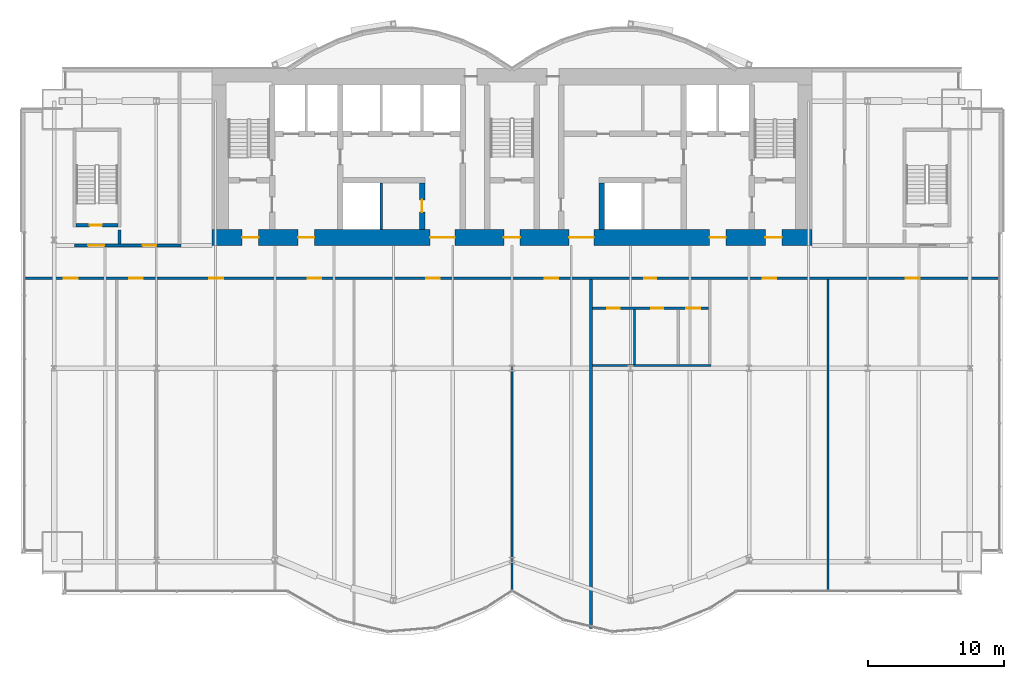
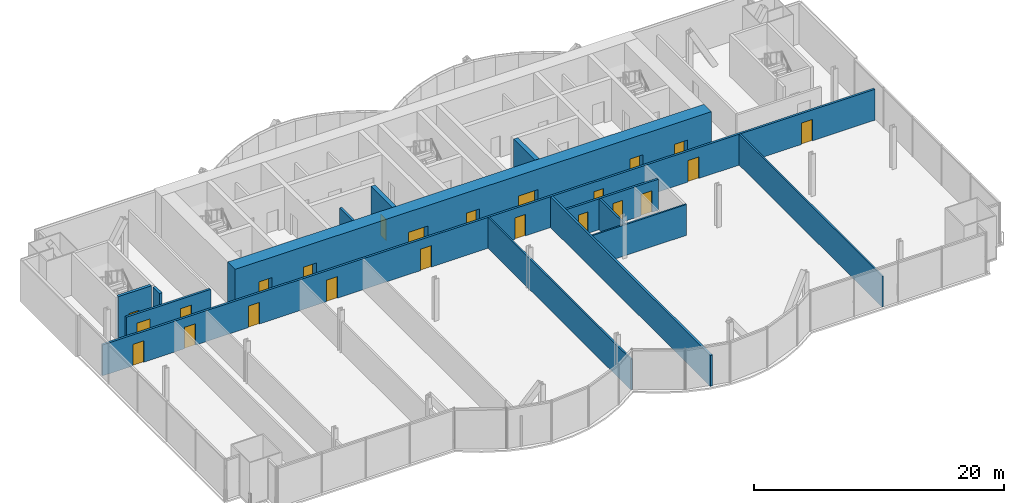
# One storey, part 15 of 21: 23 doors, 14 walls, 23 openings.
"""IFC4 building model written with IfcOpenShell, lengths in metres."""

from ifc_helpers import new_model, si_unit, direction, frame, frame_2d, origin, place, context, subcontext, project, spatial, rectangle, extrude, material, layer, layer_set, type_object, element, fill, save


model = new_model("IFC4")

# Units and contexts
model_context = context("Model", 3, precision=1e-05, world=origin(), true_north=direction((0.0, 1.0)))
body_context = subcontext(model_context, "Body", "Model", "MODEL_VIEW")
ifc_project = project(units=[si_unit("LENGTHUNIT", "METRE"), si_unit("AREAUNIT", "SQUARE_METRE"), si_unit("VOLUMEUNIT", "CUBIC_METRE"), si_unit("PLANEANGLEUNIT", "RADIAN"), si_unit("MASSUNIT", "GRAM", prefix="KILO")], contexts=[model_context])

# Site, building, storey
site_placement = place(None, origin())
site = spatial("IfcSite", under=ifc_project, at=site_placement, CompositionType="ELEMENT")
building_placement = place(site_placement, origin())
building = spatial("IfcBuilding", under=site, at=building_placement, Name="Bicima Exchange Tower", CompositionType="ELEMENT")
storey_placement = place(building_placement, frame((0.0, 0.0, 98.10009765625)))
storey = spatial("IfcBuildingStorey", under=building, at=storey_placement, Name="L20", CompositionType="ELEMENT", Elevation=98.10009765625)

# Wall
ifc_material_1 = material(Name="Gypsum board partition")
ifc_layer_1 = layer(ifc_material_1, 0.199951171875)
ifc_layer_set_1 = layer_set([ifc_layer_1], Name="Gypsum board partition")
wall_type_1 = type_object("IfcWallType", Name="Fire-rated gypsum partition 200 EI120", PredefinedType="PARTITIONING", material=ifc_layer_set_1)
wall_1_placement = place(storey_placement, frame((-9.60009765625, -11.800048828125, 0.0), z_axis=(0.0, 0.0, 1.0), x_axis=(0.0, 1.0, 0.0)))
element("IfcWall", 1, at=wall_1_placement, inside=storey, type_object=wall_type_1, Name="partition wall 11", PredefinedType="PARTITIONING", context=body_context, shape_type="SweptSolid", body=[
    extrude(rectangle(XDim=3.400146484375, YDim=0.199951171875, at=frame_2d((1.7001953125, 0.0))), origin(), (0.0, 0.0, 1.0), 3.01806640625),
])

# Wall, openings, doors
ifc_layer_2 = layer(ifc_material_1, 0.199951171875)
ifc_layer_set_2 = layer_set([ifc_layer_2], Name="Gypsum board partition")
wall_type_2 = type_object("IfcWallType", Name="Fire-rated gypsum partition 200 EI60", PredefinedType="PARTITIONING", material=ifc_layer_set_2)
wall_2_placement = place(storey_placement, frame((5.89990234375, -17.60009765625, 0.0), z_axis=(0.0, 0.0, 1.0), x_axis=(1.0, 0.0, 0.0)))
wall_2 = element("IfcWall", 2, at=wall_2_placement, inside=storey, type_object=wall_type_2, Name="partition wall 2", PredefinedType="PARTITIONING", context=body_context, shape_type="SweptSolid", body=[
    extrude(rectangle(XDim=8.5, YDim=0.199951171875, at=frame_2d((4.25, 0.0))), origin(), (0.0, 0.0, 1.0), 3.01806640625),
])
opening_1_placement = place(wall_2_placement, frame((1.10009765625, 0.0, 0.0)))
opening_1 = element("IfcOpeningElement", 3, at=opening_1_placement, cuts=wall_2, Name="Opening L20-014", PredefinedType="OPENING", context=body_context, shape_type="SweptSolid", body=[
    extrude(rectangle(XDim=0.89990234375, YDim=2.10009765625, at=frame_2d((0.449951171875, 1.050048828125))), frame((0.0, 0.11181640625, 0.0), z_axis=(0.0, -1.0, 0.0), x_axis=(1.0, 0.0, 0.0)), (0.0, 0.0, 1.0), 0.223876953125),
])
opening_2_placement = place(wall_2_placement, frame((4.300048828125, 0.0, 0.0)))
opening_2 = element("IfcOpeningElement", 4, at=opening_2_placement, cuts=wall_2, Name="Opening L20-015", PredefinedType="OPENING", context=body_context, shape_type="SweptSolid", body=[
    extrude(rectangle(XDim=0.89990234375, YDim=2.10009765625, at=frame_2d((0.449951171875, 1.050048828125))), frame((0.0, 0.11181640625, 0.0), z_axis=(0.0, -1.0, 0.0), x_axis=(1.0, 0.0, 0.0)), (0.0, 0.0, 1.0), 0.223876953125),
])
opening_3_placement = place(wall_2_placement, frame((6.89990234375, 0.0, 0.0)))
opening_3 = element("IfcOpeningElement", 5, at=opening_3_placement, cuts=wall_2, Name="Opening L20-016", PredefinedType="OPENING", context=body_context, shape_type="SweptSolid", body=[
    extrude(rectangle(XDim=1.0, YDim=2.10009765625, at=frame_2d((0.5, 1.050048828125))), frame((0.0, 0.11181640625, 0.0), z_axis=(0.0, -1.0, 0.0), x_axis=(1.0, 0.0, 0.0)), (0.0, 0.0, 1.0), 0.223876953125),
])
ifc_material_2 = material(Name="Steel fire door leaf", Category="steel")
door_type_1 = type_object("IfcDoorType", Name="Door 1000 swing FD30S", OperationType="SINGLE_SWING_LEFT", PredefinedType="DOOR", material=ifc_material_2)
door_1_placement = place(opening_3_placement, frame((1.0, 0.0, 0.0), z_axis=(0.0, 0.0, 1.0), x_axis=(-1.0, 0.0, 0.0)))
door_1 = element("IfcDoor", 6, at=door_1_placement, inside=storey, type_object=door_type_1, Name="Door", OperationType="SINGLE_SWING_LEFT", OverallHeight=2.10009765625, OverallWidth=1.0, PredefinedType="DOOR", context=body_context, shape_type="SweptSolid", body=[
    extrude(rectangle(XDim=1.0, YDim=2.10009765625, at=frame_2d((0.5, 1.050048828125))), frame((0.0, 0.02490234375, 0.0), z_axis=(0.0, -1.0, 0.0), x_axis=(1.0, 0.0, 0.0)), (0.0, 0.0, 1.0), 0.050048828125),
])
fill(opening_3, door_1)
door_type_2 = type_object("IfcDoorType", Name="Door 900 swing FD30S", OperationType="SINGLE_SWING_LEFT", PredefinedType="DOOR", material=ifc_material_2)
door_2_placement = place(opening_1_placement, frame((0.89990234375, 0.0, 0.0), z_axis=(0.0, 0.0, 1.0), x_axis=(-1.0, 0.0, 0.0)))
door_2 = element("IfcDoor", 7, at=door_2_placement, inside=storey, type_object=door_type_2, Name="Door", OperationType="SINGLE_SWING_RIGHT", OverallHeight=2.10009765625, OverallWidth=0.89990234375, PredefinedType="DOOR", context=body_context, shape_type="SweptSolid", body=[
    extrude(rectangle(XDim=0.89990234375, YDim=2.10009765625, at=frame_2d((0.449951171875, 1.050048828125))), frame((0.0, 0.02490234375, 0.0), z_axis=(0.0, -1.0, 0.0), x_axis=(1.0, 0.0, 0.0)), (0.0, 0.0, 1.0), 0.050048828125),
])
fill(opening_1, door_2)
door_3_placement = place(opening_2_placement, frame((0.89990234375, 0.0, 0.0), z_axis=(0.0, 0.0, 1.0), x_axis=(-1.0, 0.0, 0.0)))
door_3 = element("IfcDoor", 8, at=door_3_placement, inside=storey, type_object=door_type_2, Name="Door", OperationType="SINGLE_SWING_RIGHT", OverallHeight=2.10009765625, OverallWidth=0.89990234375, PredefinedType="DOOR", context=body_context, shape_type="SweptSolid", body=[
    extrude(rectangle(XDim=0.89990234375, YDim=2.10009765625, at=frame_2d((0.449951171875, 1.050048828125))), frame((0.0, 0.02490234375, 0.0), z_axis=(0.0, -1.0, 0.0), x_axis=(1.0, 0.0, 0.0)), (0.0, 0.0, 1.0), 0.050048828125),
])
fill(opening_2, door_3)

wall_3_placement = place(storey_placement, frame((-35.679931640625, -15.39990234375, 0.0), z_axis=(0.0, 0.0, 1.0), x_axis=(1.0, 0.0, 0.0)))
wall_3 = element("IfcWall", 9, at=wall_3_placement, inside=storey, type_object=wall_type_2, Name="partition wall 3", PredefinedType="PARTITIONING", context=body_context, shape_type="SweptSolid", body=[
    extrude(rectangle(XDim=71.35986328125, YDim=0.199951171875, at=frame_2d((35.679931640625, 0.0))), origin(), (0.0, 0.0, 1.0), 3.01806640625),
])
opening_4_placement = place(wall_3_placement, frame((2.800048828125, 0.0, 0.0)))
opening_4 = element("IfcOpeningElement", 10, at=opening_4_placement, cuts=wall_3, Name="Opening L20-007", PredefinedType="OPENING", context=body_context, shape_type="SweptSolid", body=[
    extrude(rectangle(XDim=1.0, YDim=2.10009765625, at=frame_2d((0.5, 1.050048828125))), frame((0.0, 0.11181640625, 0.0), z_axis=(0.0, -1.0, 0.0), x_axis=(1.0, 0.0, 0.0)), (0.0, 0.0, 1.0), 0.223876953125),
])
opening_5_placement = place(wall_3_placement, frame((7.580078125, 0.0, 0.0)))
opening_5 = element("IfcOpeningElement", 11, at=opening_5_placement, cuts=wall_3, Name="Opening L20-008", PredefinedType="OPENING", context=body_context, shape_type="SweptSolid", body=[
    extrude(rectangle(XDim=1.0, YDim=2.10009765625, at=frame_2d((0.5, 1.050048828125))), frame((0.0, 0.11181640625, 0.0), z_axis=(0.0, -1.0, 0.0), x_axis=(1.0, 0.0, 0.0)), (0.0, 0.0, 1.0), 0.223876953125),
])
opening_6_placement = place(wall_3_placement, frame((13.47998046875, 0.0, 0.0)))
opening_6 = element("IfcOpeningElement", 12, at=opening_6_placement, cuts=wall_3, Name="Opening L20-009", PredefinedType="OPENING", context=body_context, shape_type="SweptSolid", body=[
    extrude(rectangle(XDim=1.0, YDim=2.10009765625, at=frame_2d((0.5, 1.050048828125))), frame((0.0, 0.11181640625, 0.0), z_axis=(0.0, -1.0, 0.0), x_axis=(1.0, 0.0, 0.0)), (0.0, 0.0, 1.0), 0.223876953125),
])
opening_7_placement = place(wall_3_placement, frame((20.679931640625, 0.0, 0.0)))
opening_7 = element("IfcOpeningElement", 13, at=opening_7_placement, cuts=wall_3, Name="Opening L20-010", PredefinedType="OPENING", context=body_context, shape_type="SweptSolid", body=[
    extrude(rectangle(XDim=1.0, YDim=2.10009765625, at=frame_2d((0.5, 1.050048828125))), frame((0.0, 0.11181640625, 0.0), z_axis=(0.0, -1.0, 0.0), x_axis=(1.0, 0.0, 0.0)), (0.0, 0.0, 1.0), 0.223876953125),
])
opening_8_placement = place(wall_3_placement, frame((29.3798828125, 0.0, 0.0)))
opening_8 = element("IfcOpeningElement", 14, at=opening_8_placement, cuts=wall_3, Name="Opening L20-011", PredefinedType="OPENING", context=body_context, shape_type="SweptSolid", body=[
    extrude(rectangle(XDim=1.0, YDim=2.10009765625, at=frame_2d((0.5, 1.050048828125))), frame((0.0, 0.11181640625, 0.0), z_axis=(0.0, -1.0, 0.0), x_axis=(1.0, 0.0, 0.0)), (0.0, 0.0, 1.0), 0.223876953125),
])
opening_9_placement = place(wall_3_placement, frame((38.080078125, 0.0, 0.0)))
opening_9 = element("IfcOpeningElement", 15, at=opening_9_placement, cuts=wall_3, Name="Opening L20-012", PredefinedType="OPENING", context=body_context, shape_type="SweptSolid", body=[
    extrude(rectangle(XDim=1.0, YDim=2.10009765625, at=frame_2d((0.5, 1.050048828125))), frame((0.0, 0.11181640625, 0.0), z_axis=(0.0, -1.0, 0.0), x_axis=(1.0, 0.0, 0.0)), (0.0, 0.0, 1.0), 0.223876953125),
])
opening_10_placement = place(wall_3_placement, frame((45.3798828125, 0.0, 0.0)))
opening_10 = element("IfcOpeningElement", 16, at=opening_10_placement, cuts=wall_3, Name="Opening L20-013", PredefinedType="OPENING", context=body_context, shape_type="SweptSolid", body=[
    extrude(rectangle(XDim=0.89990234375, YDim=2.10009765625, at=frame_2d((0.449951171875, 1.050048828125))), frame((0.0, 0.11181640625, 0.0), z_axis=(0.0, -1.0, 0.0), x_axis=(1.0, 0.0, 0.0)), (0.0, 0.0, 1.0), 0.223876953125),
])
opening_11_placement = place(wall_3_placement, frame((54.080078125, 0.0, 0.0)))
opening_11 = element("IfcOpeningElement", 17, at=opening_11_placement, cuts=wall_3, Name="Opening L20-017", PredefinedType="OPENING", context=body_context, shape_type="SweptSolid", body=[
    extrude(rectangle(XDim=1.0, YDim=2.10009765625, at=frame_2d((0.5, 1.050048828125))), frame((0.0, 0.11181640625, 0.0), z_axis=(0.0, -1.0, 0.0), x_axis=(1.0, 0.0, 0.0)), (0.0, 0.0, 1.0), 0.223876953125),
])
opening_12_placement = place(wall_3_placement, frame((64.580078125, 0.0, 0.0)))
opening_12 = element("IfcOpeningElement", 18, at=opening_12_placement, cuts=wall_3, Name="Opening L20-018", PredefinedType="OPENING", context=body_context, shape_type="SweptSolid", body=[
    extrude(rectangle(XDim=1.0, YDim=2.10009765625, at=frame_2d((0.5, 1.050048828125))), frame((0.0, 0.11181640625, 0.0), z_axis=(0.0, -1.0, 0.0), x_axis=(1.0, 0.0, 0.0)), (0.0, 0.0, 1.0), 0.223876953125),
])
door_4_placement = place(opening_4_placement, frame((1.0, 0.0, 0.0), z_axis=(0.0, 0.0, 1.0), x_axis=(-1.0, 0.0, 0.0)))
door_4 = element("IfcDoor", 19, at=door_4_placement, inside=storey, type_object=door_type_1, Name="Door", OperationType="SINGLE_SWING_LEFT", OverallHeight=2.10009765625, OverallWidth=1.0, PredefinedType="DOOR", context=body_context, shape_type="SweptSolid", body=[
    extrude(rectangle(XDim=1.0, YDim=2.10009765625, at=frame_2d((0.5, 1.050048828125))), frame((0.0, 0.02490234375, 0.0), z_axis=(0.0, -1.0, 0.0), x_axis=(1.0, 0.0, 0.0)), (0.0, 0.0, 1.0), 0.050048828125),
])
fill(opening_4, door_4)
door_5_placement = place(opening_5_placement, frame((1.0, 0.0, 0.0), z_axis=(0.0, 0.0, 1.0), x_axis=(-1.0, 0.0, 0.0)))
door_5 = element("IfcDoor", 20, at=door_5_placement, inside=storey, type_object=door_type_1, Name="Door", OperationType="SINGLE_SWING_RIGHT", OverallHeight=2.10009765625, OverallWidth=1.0, PredefinedType="DOOR", context=body_context, shape_type="SweptSolid", body=[
    extrude(rectangle(XDim=1.0, YDim=2.10009765625, at=frame_2d((0.5, 1.050048828125))), frame((0.0, 0.02490234375, 0.0), z_axis=(0.0, -1.0, 0.0), x_axis=(1.0, 0.0, 0.0)), (0.0, 0.0, 1.0), 0.050048828125),
])
fill(opening_5, door_5)
door_6_placement = place(opening_6_placement, frame((1.0, 0.0, 0.0), z_axis=(0.0, 0.0, 1.0), x_axis=(-1.0, 0.0, 0.0)))
door_6 = element("IfcDoor", 21, at=door_6_placement, inside=storey, type_object=door_type_1, Name="Door", OperationType="SINGLE_SWING_RIGHT", OverallHeight=2.10009765625, OverallWidth=1.0, PredefinedType="DOOR", context=body_context, shape_type="SweptSolid", body=[
    extrude(rectangle(XDim=1.0, YDim=2.10009765625, at=frame_2d((0.5, 1.050048828125))), frame((0.0, 0.02490234375, 0.0), z_axis=(0.0, -1.0, 0.0), x_axis=(1.0, 0.0, 0.0)), (0.0, 0.0, 1.0), 0.050048828125),
])
fill(opening_6, door_6)
door_7_placement = place(opening_7_placement, frame((1.0, 0.0, 0.0), z_axis=(0.0, 0.0, 1.0), x_axis=(-1.0, 0.0, 0.0)))
door_7 = element("IfcDoor", 22, at=door_7_placement, inside=storey, type_object=door_type_1, Name="Door", OperationType="SINGLE_SWING_LEFT", OverallHeight=2.10009765625, OverallWidth=1.0, PredefinedType="DOOR", context=body_context, shape_type="SweptSolid", body=[
    extrude(rectangle(XDim=1.0, YDim=2.10009765625, at=frame_2d((0.5, 1.050048828125))), frame((0.0, 0.02490234375, 0.0), z_axis=(0.0, -1.0, 0.0), x_axis=(1.0, 0.0, 0.0)), (0.0, 0.0, 1.0), 0.050048828125),
])
fill(opening_7, door_7)
door_8_placement = place(opening_8_placement, frame((1.0, 0.0, 0.0), z_axis=(0.0, 0.0, 1.0), x_axis=(-1.0, 0.0, 0.0)))
door_8 = element("IfcDoor", 23, at=door_8_placement, inside=storey, type_object=door_type_1, Name="Door", OperationType="SINGLE_SWING_RIGHT", OverallHeight=2.10009765625, OverallWidth=1.0, PredefinedType="DOOR", context=body_context, shape_type="SweptSolid", body=[
    extrude(rectangle(XDim=1.0, YDim=2.10009765625, at=frame_2d((0.5, 1.050048828125))), frame((0.0, 0.02490234375, 0.0), z_axis=(0.0, -1.0, 0.0), x_axis=(1.0, 0.0, 0.0)), (0.0, 0.0, 1.0), 0.050048828125),
])
fill(opening_8, door_8)
door_9_placement = place(opening_9_placement, frame((1.0, 0.0, 0.0), z_axis=(0.0, 0.0, 1.0), x_axis=(-1.0, 0.0, 0.0)))
door_9 = element("IfcDoor", 24, at=door_9_placement, inside=storey, type_object=door_type_1, Name="Door", OperationType="SINGLE_SWING_RIGHT", OverallHeight=2.10009765625, OverallWidth=1.0, PredefinedType="DOOR", context=body_context, shape_type="SweptSolid", body=[
    extrude(rectangle(XDim=1.0, YDim=2.10009765625, at=frame_2d((0.5, 1.050048828125))), frame((0.0, 0.02490234375, 0.0), z_axis=(0.0, -1.0, 0.0), x_axis=(1.0, 0.0, 0.0)), (0.0, 0.0, 1.0), 0.050048828125),
])
fill(opening_9, door_9)
door_10_placement = place(opening_11_placement, frame((1.0, 0.0, 0.0), z_axis=(0.0, 0.0, 1.0), x_axis=(-1.0, 0.0, 0.0)))
door_10 = element("IfcDoor", 25, at=door_10_placement, inside=storey, type_object=door_type_1, Name="Door", OperationType="SINGLE_SWING_RIGHT", OverallHeight=2.10009765625, OverallWidth=1.0, PredefinedType="DOOR", context=body_context, shape_type="SweptSolid", body=[
    extrude(rectangle(XDim=1.0, YDim=2.10009765625, at=frame_2d((0.5, 1.050048828125))), frame((0.0, 0.02490234375, 0.0), z_axis=(0.0, -1.0, 0.0), x_axis=(1.0, 0.0, 0.0)), (0.0, 0.0, 1.0), 0.050048828125),
])
fill(opening_11, door_10)
door_11_placement = place(opening_12_placement, frame((1.0, 0.0, 0.0), z_axis=(0.0, 0.0, 1.0), x_axis=(-1.0, 0.0, 0.0)))
door_11 = element("IfcDoor", 26, at=door_11_placement, inside=storey, type_object=door_type_1, Name="Door", OperationType="SINGLE_SWING_RIGHT", OverallHeight=2.10009765625, OverallWidth=1.0, PredefinedType="DOOR", context=body_context, shape_type="SweptSolid", body=[
    extrude(rectangle(XDim=1.0, YDim=2.10009765625, at=frame_2d((0.5, 1.050048828125))), frame((0.0, 0.02490234375, 0.0), z_axis=(0.0, -1.0, 0.0), x_axis=(1.0, 0.0, 0.0)), (0.0, 0.0, 1.0), 0.050048828125),
])
fill(opening_12, door_11)
door_12_placement = place(opening_10_placement, frame((0.89990234375, 0.0, 0.0), z_axis=(0.0, 0.0, 1.0), x_axis=(-1.0, 0.0, 0.0)))
door_12 = element("IfcDoor", 27, at=door_12_placement, inside=storey, type_object=door_type_2, Name="Door", OperationType="SINGLE_SWING_LEFT", OverallHeight=2.10009765625, OverallWidth=0.89990234375, PredefinedType="DOOR", context=body_context, shape_type="SweptSolid", body=[
    extrude(rectangle(XDim=0.89990234375, YDim=2.10009765625, at=frame_2d((0.449951171875, 1.050048828125))), frame((0.0, 0.02490234375, 0.0), z_axis=(0.0, -1.0, 0.0), x_axis=(1.0, 0.0, 0.0)), (0.0, 0.0, 1.0), 0.050048828125),
])
fill(opening_10, door_12)

wall_4_placement = place(storey_placement, frame((-32.10009765625, -13.0, 0.0), z_axis=(0.0, 0.0, 1.0), x_axis=(1.0, 0.0, 0.0)))
wall_4 = element("IfcWall", 28, at=wall_4_placement, inside=storey, type_object=wall_type_2, Name="partition wall 4", PredefinedType="PARTITIONING", context=body_context, shape_type="SweptSolid", body=[
    extrude(rectangle(XDim=7.800048828125, YDim=0.199951171875, at=frame_2d((3.89990234375, 0.0))), origin(), (0.0, 0.0, 1.0), 3.01806640625),
])
opening_13_placement = place(wall_4_placement, frame((1.0, 0.0, 0.0)))
opening_13 = element("IfcOpeningElement", 29, at=opening_13_placement, cuts=wall_4, Name="Opening L20-001", PredefinedType="OPENING", context=body_context, shape_type="SweptSolid", body=[
    extrude(rectangle(XDim=1.199951171875, YDim=2.10009765625, at=frame_2d((0.60009765625, 1.050048828125))), frame((0.0, 0.11181640625, 0.0), z_axis=(0.0, -1.0, 0.0), x_axis=(1.0, 0.0, 0.0)), (0.0, 0.0, 1.0), 0.223876953125),
])
opening_14_placement = place(wall_4_placement, frame((5.0, 0.0, 0.0)))
opening_14 = element("IfcOpeningElement", 30, at=opening_14_placement, cuts=wall_4, Name="Opening L20-005", PredefinedType="OPENING", context=body_context, shape_type="SweptSolid", body=[
    extrude(rectangle(XDim=1.0, YDim=2.10009765625, at=frame_2d((0.5, 1.050048828125))), frame((0.0, 0.11181640625, 0.0), z_axis=(0.0, -1.0, 0.0), x_axis=(1.0, 0.0, 0.0)), (0.0, 0.0, 1.0), 0.223876953125),
])
door_13_placement = place(opening_14_placement, origin())
door_13 = element("IfcDoor", 31, at=door_13_placement, inside=storey, type_object=door_type_1, Name="Door", OperationType="SINGLE_SWING_LEFT", OverallHeight=2.10009765625, OverallWidth=1.0, PredefinedType="DOOR", context=body_context, shape_type="SweptSolid", body=[
    extrude(rectangle(XDim=1.0, YDim=2.10009765625, at=frame_2d((0.5, 1.050048828125))), frame((0.0, 0.02490234375, 0.0), z_axis=(0.0, -1.0, 0.0), x_axis=(1.0, 0.0, 0.0)), (0.0, 0.0, 1.0), 0.050048828125),
])
fill(opening_14, door_13)
door_type_3 = type_object("IfcDoorType", Name="Door 1200 swing FD30S", OperationType="SINGLE_SWING_LEFT", PredefinedType="DOOR", material=ifc_material_2)
door_14_placement = place(opening_13_placement, origin())
door_14 = element("IfcDoor", 32, at=door_14_placement, inside=storey, type_object=door_type_3, Name="Door", OperationType="SINGLE_SWING_LEFT", OverallHeight=2.10009765625, OverallWidth=1.199951171875, PredefinedType="DOOR", context=body_context, shape_type="SweptSolid", body=[
    extrude(rectangle(XDim=1.199951171875, YDim=2.10009765625, at=frame_2d((0.60009765625, 1.050048828125))), frame((0.0, 0.02490234375, 0.0), z_axis=(0.0, -1.0, 0.0), x_axis=(1.0, 0.0, 0.0)), (0.0, 0.0, 1.0), 0.050048828125),
])
fill(opening_13, door_14)

# Walls
wall_5_placement = place(storey_placement, frame((5.800048828125, -41.090087890625, 0.0), z_axis=(0.0, 0.0, 1.0), x_axis=(0.0, 1.0, 0.0)))
element("IfcWall", 33, at=wall_5_placement, inside=storey, type_object=wall_type_2, Name="partition wall 22", PredefinedType="PARTITIONING", context=body_context, shape_type="SweptSolid", body=[
    extrude(rectangle(XDim=25.590087890625, YDim=0.199951171875, at=frame_2d((12.794921875, 0.0))), origin(), (0.0, 0.0, 1.0), 3.01806640625),
])
ifc_layer_3 = layer(ifc_material_1, 0.14990234375)
ifc_layer_set_3 = layer_set([ifc_layer_3], Name="Gypsum board partition")
wall_type_3 = type_object("IfcWallType", Name="Gypsum partition 150", PredefinedType="PARTITIONING", material=ifc_layer_set_3)
wall_6_placement = place(storey_placement, frame((5.89990234375, -21.800048828125, 0.0), z_axis=(0.0, 0.0, 1.0), x_axis=(1.0, 0.0, 0.0)))
element("IfcWall", 34, at=wall_6_placement, inside=storey, type_object=wall_type_3, Name="partition wall 1", PredefinedType="PARTITIONING", context=body_context, shape_type="SweptSolid", body=[
    extrude(rectangle(XDim=8.7001953125, YDim=0.14990234375, at=frame_2d((4.35009765625, 0.0))), origin(), (0.0, 0.0, 1.0), 3.01806640625),
])
wall_7_placement = place(storey_placement, frame((0.0, -38.330078125, 0.0), z_axis=(0.0, 0.0, 1.0), x_axis=(0.0, 1.0, 0.0)))
element("IfcWall", 35, at=wall_7_placement, inside=storey, type_object=wall_type_3, Name="partition wall 21", PredefinedType="PARTITIONING", context=body_context, shape_type="SweptSolid", body=[
    extrude(rectangle(XDim=22.830078125, YDim=0.14990234375, at=frame_2d((11.4150390625, 0.0))), origin(), (0.0, 0.0, 1.0), 3.01806640625),
])
wall_8_placement = place(storey_placement, frame((9.0, -21.72509765625, 0.0), z_axis=(0.0, 0.0, 1.0), x_axis=(0.0, 1.0, 0.0)))
element("IfcWall", 36, at=wall_8_placement, inside=storey, type_object=wall_type_3, Name="partition wall 23", PredefinedType="PARTITIONING", context=body_context, shape_type="SweptSolid", body=[
    extrude(rectangle(XDim=4.025146484375, YDim=0.14990234375, at=frame_2d((2.0126953125, 0.0))), origin(), (0.0, 0.0, 1.0), 3.01806640625),
])
wall_9_placement = place(storey_placement, frame((23.199951171875, -38.3701171875, 0.0), z_axis=(0.0, 0.0, 1.0), x_axis=(0.0, 1.0, 0.0)))
element("IfcWall", 37, at=wall_9_placement, inside=storey, type_object=wall_type_3, Name="partition wall 26", PredefinedType="PARTITIONING", context=body_context, shape_type="SweptSolid", body=[
    extrude(rectangle(XDim=22.8701171875, YDim=0.14990234375, at=frame_2d((11.43505859375, 0.0))), origin(), (0.0, 0.0, 1.0), 3.01806640625),
])

# Wall, openings, doors
ifc_material_3 = material(Name="Concrete C60/75", Category="concrete")
ifc_layer_4 = layer(ifc_material_3, 1.199951171875)
ifc_layer_set_4 = layer_set([ifc_layer_4], Name="Concrete C60/75")
wall_type_4 = type_object("IfcWallType", Name="RC core wall 1200 C60/75", PredefinedType="SHEAR", material=ifc_layer_set_4)
wall_10_placement = place(storey_placement, frame((-22.0, -12.39990234375, 0.0), z_axis=(0.0, 0.0, 1.0), x_axis=(1.0, 0.0, 0.0)))
wall_10 = element("IfcWall", 38, at=wall_10_placement, inside=storey, type_object=wall_type_4, Name="Core wall south", PredefinedType="SHEAR", context=body_context, shape_type="SweptSolid", body=[
    extrude(rectangle(XDim=44.0, YDim=1.199951171875, at=frame_2d((22.0, 0.0))), origin(), (0.0, 0.0, 1.0), 4.099853515625),
])
opening_15_placement = place(wall_10_placement, frame((2.199951171875, 0.0, 0.0)))
opening_15 = element("IfcOpeningElement", 39, at=opening_15_placement, cuts=wall_10, Name="Opening L20-C18", PredefinedType="OPENING", context=body_context, shape_type="SweptSolid", body=[
    extrude(rectangle(XDim=1.199951171875, YDim=2.10009765625, at=frame_2d((0.60009765625, 1.050048828125))), frame((0.0, 0.61181640625, 0.0), z_axis=(0.0, -1.0, 0.0), x_axis=(1.0, 0.0, 0.0)), (0.0, 0.0, 1.0), 1.223876953125),
])
opening_16_placement = place(wall_10_placement, frame((21.39990234375, 0.0, 0.0)))
opening_16 = element("IfcOpeningElement", 40, at=opening_16_placement, cuts=wall_10, Name="Opening L20-C19", PredefinedType="OPENING", context=body_context, shape_type="SweptSolid", body=[
    extrude(rectangle(XDim=1.199951171875, YDim=2.10009765625, at=frame_2d((0.60009765625, 1.050048828125))), frame((0.0, 0.61181640625, 0.0), z_axis=(0.0, -1.0, 0.0), x_axis=(1.0, 0.0, 0.0)), (0.0, 0.0, 1.0), 1.223876953125),
])
opening_17_placement = place(wall_10_placement, frame((40.60009765625, 0.0, 0.0)))
opening_17 = element("IfcOpeningElement", 41, at=opening_17_placement, cuts=wall_10, Name="Opening L20-C20", PredefinedType="OPENING", context=body_context, shape_type="SweptSolid", body=[
    extrude(rectangle(XDim=1.199951171875, YDim=2.10009765625, at=frame_2d((0.60009765625, 1.050048828125))), frame((0.0, 0.61181640625, 0.0), z_axis=(0.0, -1.0, 0.0), x_axis=(1.0, 0.0, 0.0)), (0.0, 0.0, 1.0), 1.223876953125),
])
opening_18_placement = place(wall_10_placement, frame((16.0, 0.0, 0.0)))
opening_18 = element("IfcOpeningElement", 42, at=opening_18_placement, cuts=wall_10, Name="Opening L20-C21", PredefinedType="OPENING", context=body_context, shape_type="SweptSolid", body=[
    extrude(rectangle(XDim=1.800048828125, YDim=2.10009765625, at=frame_2d((0.89990234375, 1.050048828125))), frame((0.0, 0.61181640625, 0.0), z_axis=(0.0, -1.0, 0.0), x_axis=(1.0, 0.0, 0.0)), (0.0, 0.0, 1.0), 1.223876953125),
])
opening_19_placement = place(wall_10_placement, frame((6.300048828125, 0.0, 0.0)))
opening_19 = element("IfcOpeningElement", 43, at=opening_19_placement, cuts=wall_10, Name="Opening L20-C22", PredefinedType="OPENING", context=body_context, shape_type="SweptSolid", body=[
    extrude(rectangle(XDim=1.199951171875, YDim=2.10009765625, at=frame_2d((0.60009765625, 1.050048828125))), frame((0.0, 0.61181640625, 0.0), z_axis=(0.0, -1.0, 0.0), x_axis=(1.0, 0.0, 0.0)), (0.0, 0.0, 1.0), 1.223876953125),
])
opening_20_placement = place(wall_10_placement, frame((26.199951171875, 0.0, 0.0)))
opening_20 = element("IfcOpeningElement", 44, at=opening_20_placement, cuts=wall_10, Name="Opening L20-C23", PredefinedType="OPENING", context=body_context, shape_type="SweptSolid", body=[
    extrude(rectangle(XDim=1.800048828125, YDim=2.10009765625, at=frame_2d((0.89990234375, 1.050048828125))), frame((0.0, 0.61181640625, 0.0), z_axis=(0.0, -1.0, 0.0), x_axis=(1.0, 0.0, 0.0)), (0.0, 0.0, 1.0), 1.223876953125),
])
opening_21_placement = place(wall_10_placement, frame((36.5, 0.0, 0.0)))
opening_21 = element("IfcOpeningElement", 45, at=opening_21_placement, cuts=wall_10, Name="Opening L20-C24", PredefinedType="OPENING", context=body_context, shape_type="SweptSolid", body=[
    extrude(rectangle(XDim=1.199951171875, YDim=2.10009765625, at=frame_2d((0.60009765625, 1.050048828125))), frame((0.0, 0.61181640625, 0.0), z_axis=(0.0, -1.0, 0.0), x_axis=(1.0, 0.0, 0.0)), (0.0, 0.0, 1.0), 1.223876953125),
])
door_type_4 = type_object("IfcDoorType", Name="Door 1200 swing FD60S", OperationType="SINGLE_SWING_LEFT", PredefinedType="DOOR", material=ifc_material_2)
door_15_placement = place(opening_15_placement, frame((1.199951171875, 0.0, 0.0), z_axis=(0.0, 0.0, 1.0), x_axis=(-1.0, 0.0, 0.0)))
door_15 = element("IfcDoor", 46, at=door_15_placement, inside=storey, type_object=door_type_4, Name="Core door", OperationType="SINGLE_SWING_RIGHT", OverallHeight=2.10009765625, OverallWidth=1.199951171875, PredefinedType="DOOR", context=body_context, shape_type="SweptSolid", body=[
    extrude(rectangle(XDim=1.199951171875, YDim=2.10009765625, at=frame_2d((0.60009765625, 1.050048828125))), frame((0.0, 0.02490234375, 0.0), z_axis=(0.0, -1.0, 0.0), x_axis=(1.0, 0.0, 0.0)), (0.0, 0.0, 1.0), 0.050048828125),
])
fill(opening_15, door_15)
door_16_placement = place(opening_16_placement, frame((1.199951171875, 0.0, 0.0), z_axis=(0.0, 0.0, 1.0), x_axis=(-1.0, 0.0, 0.0)))
door_16 = element("IfcDoor", 47, at=door_16_placement, inside=storey, type_object=door_type_4, Name="Core door", OperationType="SINGLE_SWING_RIGHT", OverallHeight=2.10009765625, OverallWidth=1.199951171875, PredefinedType="DOOR", context=body_context, shape_type="SweptSolid", body=[
    extrude(rectangle(XDim=1.199951171875, YDim=2.10009765625, at=frame_2d((0.60009765625, 1.050048828125))), frame((0.0, 0.02490234375, 0.0), z_axis=(0.0, -1.0, 0.0), x_axis=(1.0, 0.0, 0.0)), (0.0, 0.0, 1.0), 0.050048828125),
])
fill(opening_16, door_16)
door_17_placement = place(opening_17_placement, frame((1.199951171875, 0.0, 0.0), z_axis=(0.0, 0.0, 1.0), x_axis=(-1.0, 0.0, 0.0)))
door_17 = element("IfcDoor", 48, at=door_17_placement, inside=storey, type_object=door_type_4, Name="Core door", OperationType="SINGLE_SWING_RIGHT", OverallHeight=2.10009765625, OverallWidth=1.199951171875, PredefinedType="DOOR", context=body_context, shape_type="SweptSolid", body=[
    extrude(rectangle(XDim=1.199951171875, YDim=2.10009765625, at=frame_2d((0.60009765625, 1.050048828125))), frame((0.0, 0.02490234375, 0.0), z_axis=(0.0, -1.0, 0.0), x_axis=(1.0, 0.0, 0.0)), (0.0, 0.0, 1.0), 0.050048828125),
])
fill(opening_17, door_17)
door_18_placement = place(opening_19_placement, frame((1.199951171875, 0.0, 0.0), z_axis=(0.0, 0.0, 1.0), x_axis=(-1.0, 0.0, 0.0)))
door_18 = element("IfcDoor", 49, at=door_18_placement, inside=storey, type_object=door_type_4, Name="Core door", OperationType="SINGLE_SWING_RIGHT", OverallHeight=2.10009765625, OverallWidth=1.199951171875, PredefinedType="DOOR", context=body_context, shape_type="SweptSolid", body=[
    extrude(rectangle(XDim=1.199951171875, YDim=2.10009765625, at=frame_2d((0.60009765625, 1.050048828125))), frame((0.0, 0.02490234375, 0.0), z_axis=(0.0, -1.0, 0.0), x_axis=(1.0, 0.0, 0.0)), (0.0, 0.0, 1.0), 0.050048828125),
])
fill(opening_19, door_18)
door_19_placement = place(opening_21_placement, frame((1.199951171875, 0.0, 0.0), z_axis=(0.0, 0.0, 1.0), x_axis=(-1.0, 0.0, 0.0)))
door_19 = element("IfcDoor", 50, at=door_19_placement, inside=storey, type_object=door_type_4, Name="Core door", OperationType="SINGLE_SWING_RIGHT", OverallHeight=2.10009765625, OverallWidth=1.199951171875, PredefinedType="DOOR", context=body_context, shape_type="SweptSolid", body=[
    extrude(rectangle(XDim=1.199951171875, YDim=2.10009765625, at=frame_2d((0.60009765625, 1.050048828125))), frame((0.0, 0.02490234375, 0.0), z_axis=(0.0, -1.0, 0.0), x_axis=(1.0, 0.0, 0.0)), (0.0, 0.0, 1.0), 0.050048828125),
])
fill(opening_21, door_19)
door_type_5 = type_object("IfcDoorType", Name="Door 1800 double swing FD30S", OperationType="DOUBLE_DOOR_SINGLE_SWING", PredefinedType="DOOR", material=ifc_material_2)
door_20_placement = place(opening_18_placement, origin())
door_20 = element("IfcDoor", 51, at=door_20_placement, inside=storey, type_object=door_type_5, Name="Core door", OperationType="SINGLE_SWING_LEFT", OverallHeight=2.10009765625, OverallWidth=1.800048828125, PredefinedType="DOOR", context=body_context, shape_type="SweptSolid", body=[
    extrude(rectangle(XDim=1.800048828125, YDim=2.10009765625, at=frame_2d((0.89990234375, 1.050048828125))), frame((0.0, 0.02490234375, 0.0), z_axis=(0.0, -1.0, 0.0), x_axis=(1.0, 0.0, 0.0)), (0.0, 0.0, 1.0), 0.050048828125),
])
fill(opening_18, door_20)
door_21_placement = place(opening_20_placement, origin())
door_21 = element("IfcDoor", 52, at=door_21_placement, inside=storey, type_object=door_type_5, Name="Core door", OperationType="SINGLE_SWING_LEFT", OverallHeight=2.10009765625, OverallWidth=1.800048828125, PredefinedType="DOOR", context=body_context, shape_type="SweptSolid", body=[
    extrude(rectangle(XDim=1.800048828125, YDim=2.10009765625, at=frame_2d((0.89990234375, 1.050048828125))), frame((0.0, 0.02490234375, 0.0), z_axis=(0.0, -1.0, 0.0), x_axis=(1.0, 0.0, 0.0)), (0.0, 0.0, 1.0), 0.050048828125),
])
fill(opening_20, door_21)

# Wall
ifc_material_4 = material(Name="Concrete C50/60", Category="concrete")
ifc_layer_5 = layer(ifc_material_4, 0.25)
ifc_layer_set_5 = layer_set([ifc_layer_5], Name="Concrete C50/60")
wall_type_5 = type_object("IfcWallType", Name="RC core wall 250 C50/60", PredefinedType="SHEAR", material=ifc_layer_set_5)
wall_11_placement = place(storey_placement, frame((-28.800048828125, -12.89990234375, 0.0), z_axis=(0.0, 0.0, 1.0), x_axis=(0.0, 1.0, 0.0)))
element("IfcWall", 53, at=wall_11_placement, inside=storey, type_object=wall_type_5, Name="stair wall 14", PredefinedType="SHEAR", context=body_context, shape_type="SweptSolid", body=[
    extrude(rectangle(XDim=1.0498046875, YDim=0.25, at=frame_2d((0.52490234375, 0.0))), origin(), (0.0, 0.0, 1.0), 4.099853515625),
])

# Wall, opening, door
ifc_layer_6 = layer(ifc_material_3, 0.39990234375)
ifc_layer_set_6 = layer_set([ifc_layer_6], Name="Concrete C60/75")
wall_type_6 = type_object("IfcWallType", Name="RC core wall 400 C60/75", PredefinedType="SHEAR", material=ifc_layer_set_6)
wall_12_placement = place(storey_placement, frame((-6.60009765625, -11.800048828125, 0.0), z_axis=(0.0, 0.0, 1.0), x_axis=(0.0, 1.0, 0.0)))
wall_12 = element("IfcWall", 54, at=wall_12_placement, inside=storey, type_object=wall_type_6, Name="shear wall 13", PredefinedType="SHEAR", context=body_context, shape_type="SweptSolid", body=[
    extrude(rectangle(XDim=3.400146484375, YDim=0.39990234375, at=frame_2d((1.7001953125, 0.0))), origin(), (0.0, 0.0, 1.0), 4.099853515625),
])
opening_22_placement = place(wall_12_placement, frame((1.25, 0.0, 0.0)))
opening_22 = element("IfcOpeningElement", 55, at=opening_22_placement, cuts=wall_12, Name="Opening L20-C14", PredefinedType="OPENING", context=body_context, shape_type="SweptSolid", body=[
    extrude(rectangle(XDim=0.89990234375, YDim=2.10009765625, at=frame_2d((0.449951171875, 1.050048828125))), frame((0.0, 0.2119140625, 0.0), z_axis=(0.0, -1.0, 0.0), x_axis=(1.0, 0.0, 0.0)), (0.0, 0.0, 1.0), 0.423828125),
])
door_22_placement = place(opening_22_placement, origin())
door_22 = element("IfcDoor", 56, at=door_22_placement, inside=storey, type_object=door_type_2, Name="Core door", OperationType="SINGLE_SWING_RIGHT", OverallHeight=2.10009765625, OverallWidth=0.89990234375, PredefinedType="DOOR", context=body_context, shape_type="SweptSolid", body=[
    extrude(rectangle(XDim=0.89990234375, YDim=2.10009765625, at=frame_2d((0.449951171875, 1.050048828125))), frame((0.0, 0.02490234375, 0.0), z_axis=(0.0, -1.0, 0.0), x_axis=(1.0, 0.0, 0.0)), (0.0, 0.0, 1.0), 0.050048828125),
])
fill(opening_22, door_22)

# Wall
wall_13_placement = place(storey_placement, frame((6.60009765625, -11.800048828125, 0.0), z_axis=(0.0, 0.0, 1.0), x_axis=(0.0, 1.0, 0.0)))
element("IfcWall", 57, at=wall_13_placement, inside=storey, type_object=wall_type_6, Name="shear wall 19", PredefinedType="SHEAR", context=body_context, shape_type="SweptSolid", body=[
    extrude(rectangle(XDim=3.400146484375, YDim=0.39990234375, at=frame_2d((1.7001953125, 0.0))), origin(), (0.0, 0.0, 1.0), 4.099853515625),
])

# Wall, opening, door
ifc_layer_7 = layer(ifc_material_4, 0.25)
ifc_layer_set_7 = layer_set([ifc_layer_7], Name="Concrete C50/60")
wall_type_7 = type_object("IfcWallType", Name="RC stair enclosure wall 250 C50/60", PredefinedType="SHEAR", material=ifc_layer_set_7)
wall_14_placement = place(storey_placement, frame((-31.97509765625, -11.5, 0.0), z_axis=(0.0, 0.0, 1.0), x_axis=(1.0, 0.0, 0.0)))
wall_14 = element("IfcWall", 58, at=wall_14_placement, inside=storey, type_object=wall_type_7, Name="West end exit stair wall S", PredefinedType="SHEAR", context=body_context, shape_type="SweptSolid", body=[
    extrude(rectangle(XDim=3.050048828125, YDim=0.25, at=frame_2d((1.52490234375, 0.0))), origin(), (0.0, 0.0, 1.0), 4.099853515625),
])
opening_23_placement = place(wall_14_placement, frame((0.97509765625, 0.0, 0.0)))
opening_23 = element("IfcOpeningElement", 59, at=opening_23_placement, cuts=wall_14, Name="Opening L20-002", PredefinedType="OPENING", context=body_context, shape_type="SweptSolid", body=[
    extrude(rectangle(XDim=0.89990234375, YDim=2.10009765625, at=frame_2d((0.449951171875, 1.050048828125))), frame((0.0, 0.136962890625, 0.0), z_axis=(0.0, -1.0, 0.0), x_axis=(1.0, 0.0, 0.0)), (0.0, 0.0, 1.0), 0.27392578125),
])
door_type_6 = type_object("IfcDoorType", Name="Door 900 swing FD60S", OperationType="SINGLE_SWING_LEFT", PredefinedType="DOOR", material=ifc_material_2)
door_23_placement = place(opening_23_placement, origin())
door_23 = element("IfcDoor", 60, at=door_23_placement, inside=storey, type_object=door_type_6, Name="Door", OperationType="SINGLE_SWING_LEFT", OverallHeight=2.10009765625, OverallWidth=0.89990234375, PredefinedType="DOOR", context=body_context, shape_type="SweptSolid", body=[
    extrude(rectangle(XDim=0.89990234375, YDim=2.10009765625, at=frame_2d((0.449951171875, 1.050048828125))), frame((0.0, 0.02490234375, 0.0), z_axis=(0.0, -1.0, 0.0), x_axis=(1.0, 0.0, 0.0)), (0.0, 0.0, 1.0), 0.050048828125),
])
fill(opening_23, door_23)

save(model, "model.ifc")
